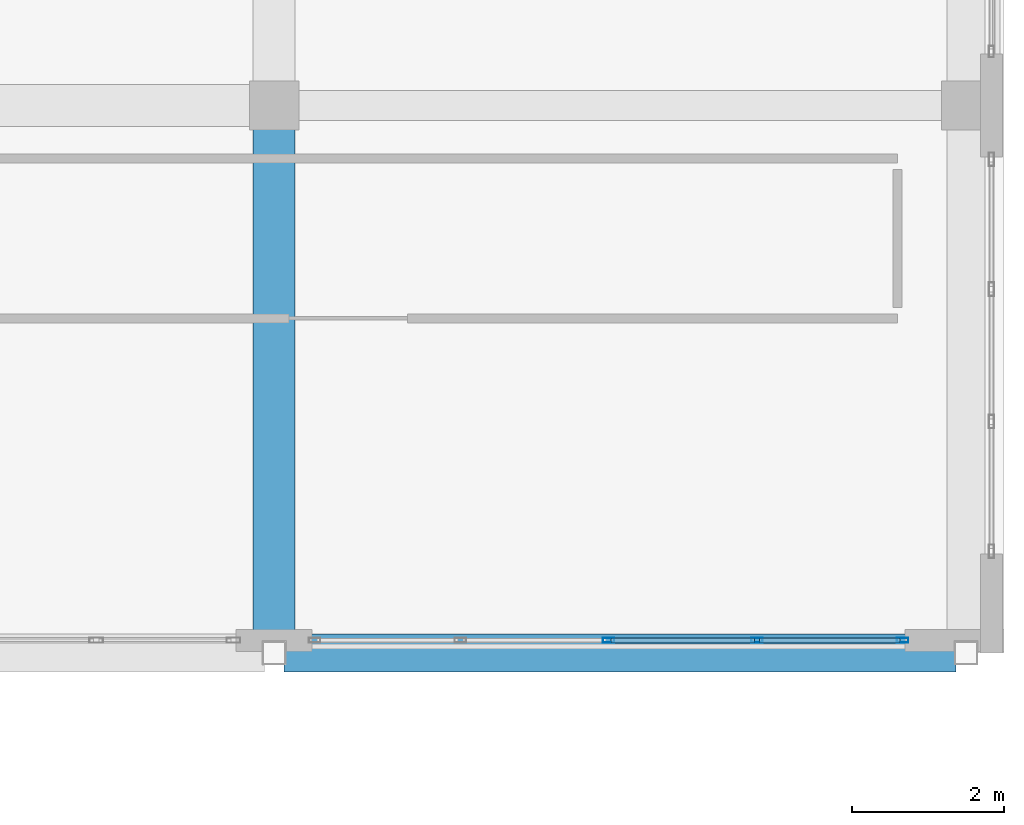
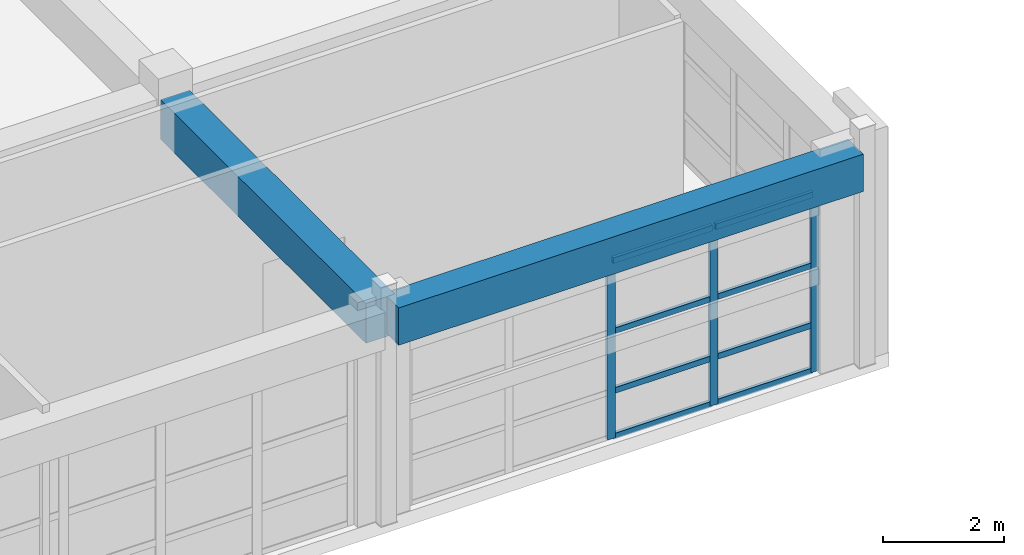
# One storey, part 78 of 123: 11 members, 2 beams, 1 element without a shape of its own.
"""IFC4 building model written with IfcOpenShell, lengths in metres."""

from ifc_helpers import new_model, si_unit, direction, frame, origin, origin_2d, place, context, subcontext, project, spatial, rectangle, hollow_rectangle, extrude, material, layer, layer_set, material_profile, profile_set, type_object, element, aggregate, save


model = new_model("IFC4")

# Units and contexts
model_context = context("Model", 3, precision=1e-05, world=origin(), true_north=direction((0.0, 1.0)))
body_context = subcontext(model_context, "Body", "Model", "MODEL_VIEW")
ifc_project = project(units=[si_unit("LENGTHUNIT", "METRE"), si_unit("AREAUNIT", "SQUARE_METRE"), si_unit("VOLUMEUNIT", "CUBIC_METRE"), si_unit("PLANEANGLEUNIT", "RADIAN"), si_unit("MASSUNIT", "GRAM", prefix="KILO")], contexts=[model_context])

# Site, building, storey
site_placement = place(None, origin())
site = spatial("IfcSite", under=ifc_project, at=site_placement, CompositionType="ELEMENT")
building_placement = place(site_placement, origin())
building = spatial("IfcBuilding", under=site, at=building_placement, Name="Quendrovan Civic Courthouse", CompositionType="ELEMENT")
storey_placement = place(building_placement, frame((0.0, 0.0, 5.39990234375)))
storey = spatial("IfcBuildingStorey", under=building, at=storey_placement, Name="L02", CompositionType="ELEMENT", Elevation=5.39990234375)

# Beams
ifc_material_1 = material(Name="Concrete C40/50", Category="concrete")
ifc_material_profile_1 = material_profile(ifc_material_1, rectangle(XDim=0.5, YDim=0.75, at=origin_2d()), Name="RC-BM-500x750")
ifc_profile_set_1 = profile_set([ifc_material_profile_1], Name="Concrete C40/50")
beam_type_1 = type_object("IfcBeamType", Name="BM-RC750", PredefinedType="SPANDREL", material=ifc_profile_set_1)
beam_1_placement = place(storey_placement, frame((151.330078125, 87.60009765625, 3.985107421875), z_axis=(1.0, 0.0, 0.0), x_axis=(0.0, 1.0, 0.0)))
element("IfcBeam", 1, at=beam_1_placement, inside=storey, type_object=beam_type_1, Name="L02 Girder X0565", PredefinedType="SPANDREL", context=body_context, shape_type="SweptSolid", body=[
    extrude(rectangle(XDim=0.5, YDim=0.75, at=origin_2d()), origin(), (0.0, 0.0, 1.0), 8.83984375),
])
ifc_material_profile_2 = material_profile(ifc_material_1, rectangle(XDim=0.550048828125, YDim=0.800048828125, at=origin_2d()), Name="RC-BM-550x800")
ifc_profile_set_2 = profile_set([ifc_material_profile_2], Name="Concrete C40/50")
beam_type_2 = type_object("IfcBeamType", Name="BM-RC800", PredefinedType="BEAM", material=ifc_profile_set_2)
beam_2_placement = place(storey_placement, frame((151.199951171875, 87.72998046875, 3.960205078125), z_axis=(0.0, 1.0, 0.0), x_axis=(-1.0, 0.0, 0.0)))
element("IfcBeam", 2, at=beam_2_placement, inside=storey, type_object=beam_type_2, Name="L02 Girder Y0705", PredefinedType="BEAM", context=body_context, shape_type="SweptSolid", body=[
    extrude(rectangle(XDim=0.550048828125, YDim=0.800048828125, at=origin_2d()), origin(), (0.0, 0.0, 1.0), 6.76513671875),
])

# Curtain wall, members
ifc_material_2 = material(Name="Bronze anodised aluminium and low-E glass", Category="aluminium")
ifc_layer = layer(ifc_material_2, 0.179931640625, Name="Bronze anodised aluminium and low-E glass")
ifc_layer_set = layer_set([ifc_layer], Name="Bronze anodised aluminium and low-E glass")
curtain_wall_type = type_object("IfcCurtainWallType", Name="CW-U78x36", PredefinedType="USERDEFINED", material=ifc_layer_set)
curtain_wall_placement = place(storey_placement, origin())
curtain_wall = element("IfcCurtainWall", 3, at=curtain_wall_placement, inside=storey, type_object=curtain_wall_type, Name="L02 Unitised Hurricane Curtain Wall CW-099", ObjectType="UNITISED CURTAIN WALL", PredefinedType="USERDEFINED")
ifc_material_3 = material(Name="Bronze anodised aluminium", Category="aluminium")
ifc_material_profile_3 = material_profile(ifc_material_3, hollow_rectangle(XDim=0.06494140625, YDim=0.14990234375, WallThickness=0.00390625, at=origin_2d()), Name="CW-MULL-65x150")
ifc_profile_set_3 = profile_set([ifc_material_profile_3], Name="Bronze anodised aluminium")
member_type_1 = type_object("IfcMemberType", Name="CW-MULL-B", PredefinedType="MULLION", material=ifc_profile_set_3)
member_1_placement = place(storey_placement, frame((159.467529296875, 87.764892578125, 0.0), z_axis=(0.0, 0.0, 1.0), x_axis=(0.0, -1.0, 0.0)))
member_1 = element("IfcMember", 4, at=member_1_placement, type_object=member_type_1, Name="CW-099 mullion 1", PredefinedType="MULLION", context=body_context, shape_type="SweptSolid", body=[
    extrude(hollow_rectangle(XDim=0.06494140625, YDim=0.14990234375, WallThickness=0.00390625, at=origin_2d()), origin(), (0.0, 0.0, 1.0), 3.60009765625),
])
member_2_placement = place(storey_placement, frame((157.550048828125, 87.764892578125, 0.0), z_axis=(0.0, 0.0, 1.0), x_axis=(0.0, -1.0, 0.0)))
member_2 = element("IfcMember", 5, at=member_2_placement, type_object=member_type_1, Name="CW-099 mullion 2", PredefinedType="MULLION", context=body_context, shape_type="SweptSolid", body=[
    extrude(hollow_rectangle(XDim=0.06494140625, YDim=0.14990234375, WallThickness=0.00390625, at=origin_2d()), origin(), (0.0, 0.0, 1.0), 3.60009765625),
])
member_3_placement = place(storey_placement, frame((155.60009765625, 87.764892578125, 0.0), z_axis=(0.0, 0.0, 1.0), x_axis=(0.0, -1.0, 0.0)))
member_3 = element("IfcMember", 6, at=member_3_placement, type_object=member_type_1, Name="CW-099 mullion 3", PredefinedType="MULLION", context=body_context, shape_type="SweptSolid", body=[
    extrude(hollow_rectangle(XDim=0.06494140625, YDim=0.14990234375, WallThickness=0.00390625, at=origin_2d()), origin(), (0.0, 0.0, 1.0), 3.60009765625),
])
ifc_material_profile_4 = material_profile(ifc_material_3, hollow_rectangle(XDim=0.06494140625, YDim=0.114990234375, WallThickness=0.00390625, at=origin_2d()), Name="CW-TRAN-65x115")
ifc_profile_set_4 = profile_set([ifc_material_profile_4], Name="Bronze anodised aluminium")
member_type_2 = type_object("IfcMemberType", Name="CW-TRAN-B", PredefinedType="USERDEFINED", material=ifc_profile_set_4)
member_4_placement = place(storey_placement, frame((159.43505859375, 87.764892578125, 0.03271484375), z_axis=(-1.0, 0.0, 0.0), x_axis=(0.0, -1.0, 0.0)))
member_4 = element("IfcMember", 7, at=member_4_placement, type_object=member_type_2, Name="CW-099 transom 1.1", ObjectType="TRANSOM", PredefinedType="USERDEFINED", context=body_context, shape_type="SweptSolid", body=[
    extrude(hollow_rectangle(XDim=0.06494140625, YDim=0.114990234375, WallThickness=0.00390625, at=origin_2d()), origin(), (0.0, 0.0, 1.0), 1.8525390625),
])
member_5_placement = place(storey_placement, frame((159.43505859375, 87.764892578125, 0.9501953125), z_axis=(-1.0, 0.0, 0.0), x_axis=(0.0, -1.0, 0.0)))
member_5 = element("IfcMember", 8, at=member_5_placement, type_object=member_type_2, Name="CW-099 transom 1.2", ObjectType="TRANSOM", PredefinedType="USERDEFINED", context=body_context, shape_type="SweptSolid", body=[
    extrude(hollow_rectangle(XDim=0.06494140625, YDim=0.114990234375, WallThickness=0.00390625, at=origin_2d()), origin(), (0.0, 0.0, 1.0), 1.8525390625),
])
member_6_placement = place(storey_placement, frame((159.43505859375, 87.764892578125, 2.150146484375), z_axis=(-1.0, 0.0, 0.0), x_axis=(0.0, -1.0, 0.0)))
member_6 = element("IfcMember", 9, at=member_6_placement, type_object=member_type_2, Name="CW-099 transom 1.3", ObjectType="TRANSOM", PredefinedType="USERDEFINED", context=body_context, shape_type="SweptSolid", body=[
    extrude(hollow_rectangle(XDim=0.06494140625, YDim=0.114990234375, WallThickness=0.00390625, at=origin_2d()), origin(), (0.0, 0.0, 1.0), 1.8525390625),
])
member_7_placement = place(storey_placement, frame((159.43505859375, 87.764892578125, 3.567626953125), z_axis=(-1.0, 0.0, 0.0), x_axis=(0.0, -1.0, 0.0)))
member_7 = element("IfcMember", 10, at=member_7_placement, type_object=member_type_2, Name="CW-099 transom 1.4", ObjectType="TRANSOM", PredefinedType="USERDEFINED", context=body_context, shape_type="SweptSolid", body=[
    extrude(hollow_rectangle(XDim=0.06494140625, YDim=0.114990234375, WallThickness=0.00390625, at=origin_2d()), origin(), (0.0, 0.0, 1.0), 1.8525390625),
])
member_8_placement = place(storey_placement, frame((157.517578125, 87.764892578125, 0.03271484375), z_axis=(-1.0, 0.0, 0.0), x_axis=(0.0, -1.0, 0.0)))
member_8 = element("IfcMember", 11, at=member_8_placement, type_object=member_type_2, Name="CW-099 transom 2.1", ObjectType="TRANSOM", PredefinedType="USERDEFINED", context=body_context, shape_type="SweptSolid", body=[
    extrude(hollow_rectangle(XDim=0.06494140625, YDim=0.114990234375, WallThickness=0.00390625, at=origin_2d()), origin(), (0.0, 0.0, 1.0), 1.885009765625),
])
member_9_placement = place(storey_placement, frame((157.517578125, 87.764892578125, 0.9501953125), z_axis=(-1.0, 0.0, 0.0), x_axis=(0.0, -1.0, 0.0)))
member_9 = element("IfcMember", 12, at=member_9_placement, type_object=member_type_2, Name="CW-099 transom 2.2", ObjectType="TRANSOM", PredefinedType="USERDEFINED", context=body_context, shape_type="SweptSolid", body=[
    extrude(hollow_rectangle(XDim=0.06494140625, YDim=0.114990234375, WallThickness=0.00390625, at=origin_2d()), origin(), (0.0, 0.0, 1.0), 1.885009765625),
])
member_10_placement = place(storey_placement, frame((157.517578125, 87.764892578125, 2.150146484375), z_axis=(-1.0, 0.0, 0.0), x_axis=(0.0, -1.0, 0.0)))
member_10 = element("IfcMember", 13, at=member_10_placement, type_object=member_type_2, Name="CW-099 transom 2.3", ObjectType="TRANSOM", PredefinedType="USERDEFINED", context=body_context, shape_type="SweptSolid", body=[
    extrude(hollow_rectangle(XDim=0.06494140625, YDim=0.114990234375, WallThickness=0.00390625, at=origin_2d()), origin(), (0.0, 0.0, 1.0), 1.885009765625),
])
member_11_placement = place(storey_placement, frame((157.517578125, 87.764892578125, 3.567626953125), z_axis=(-1.0, 0.0, 0.0), x_axis=(0.0, -1.0, 0.0)))
member_11 = element("IfcMember", 14, at=member_11_placement, type_object=member_type_2, Name="CW-099 transom 2.4", ObjectType="TRANSOM", PredefinedType="USERDEFINED", context=body_context, shape_type="SweptSolid", body=[
    extrude(hollow_rectangle(XDim=0.06494140625, YDim=0.114990234375, WallThickness=0.00390625, at=origin_2d()), origin(), (0.0, 0.0, 1.0), 1.885009765625),
])
aggregate(curtain_wall, [member_1, member_2, member_3, member_4, member_5, member_6, member_7, member_8, member_9, member_10, member_11])

save(model, "model.ifc")
